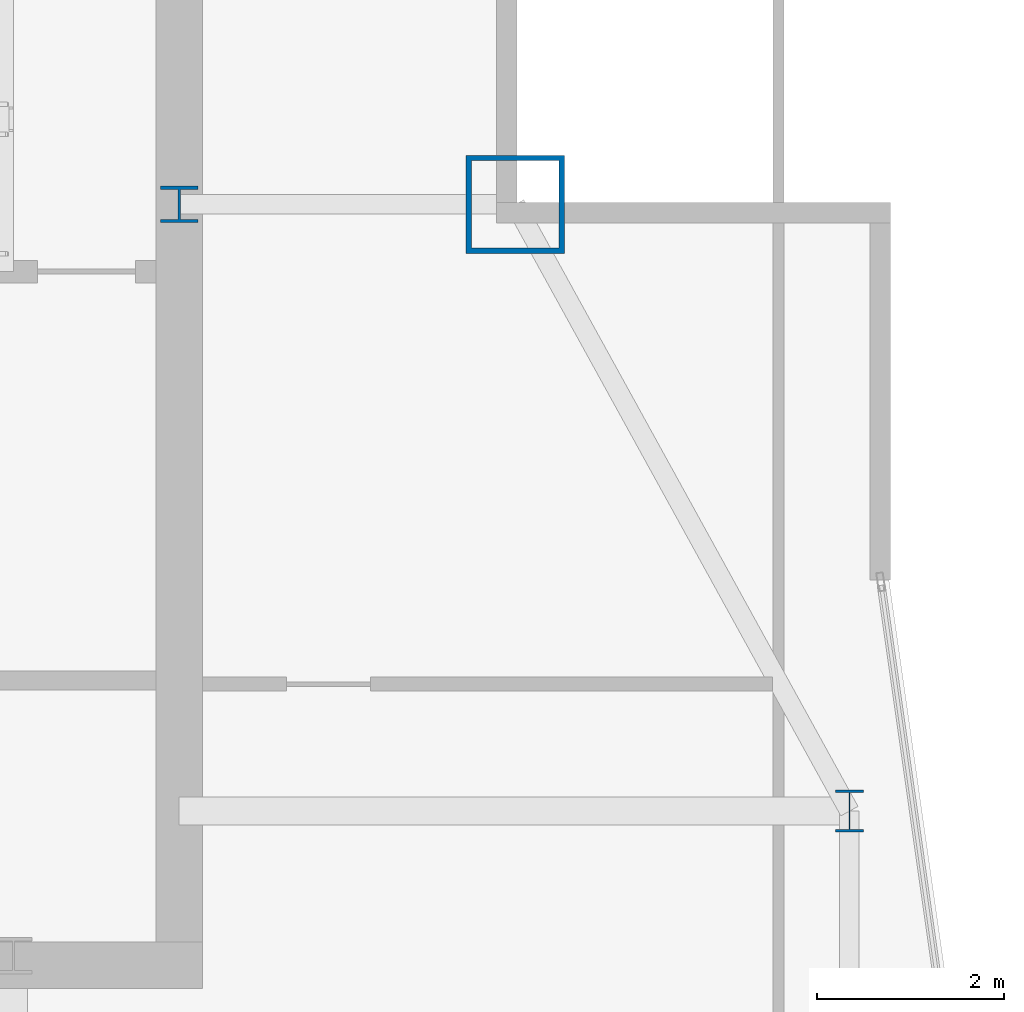
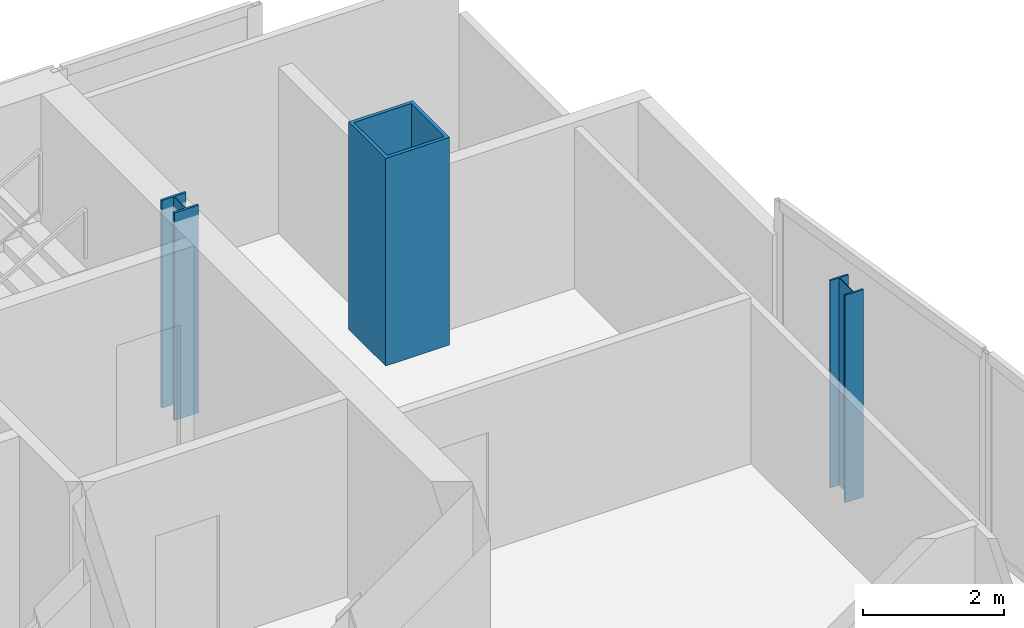
# One storey, part 4 of 30: 3 columns.
"""IFC4 building model written with IfcOpenShell, lengths in metres."""

from ifc_helpers import new_model, si_unit, direction, frame, origin, origin_2d, place, context, subcontext, project, spatial, hollow_rectangle, i_section, extrude, material, material_profile, profile_set, type_object, element, save


model = new_model("IFC4")

# Units and contexts
model_context = context("Model", 3, precision=1e-05, world=origin(), true_north=direction((0.0, 1.0)))
body_context = subcontext(model_context, "Body", "Model", "MODEL_VIEW")
ifc_project = project(units=[si_unit("LENGTHUNIT", "METRE"), si_unit("AREAUNIT", "SQUARE_METRE"), si_unit("VOLUMEUNIT", "CUBIC_METRE"), si_unit("PLANEANGLEUNIT", "RADIAN"), si_unit("MASSUNIT", "GRAM", prefix="KILO")], contexts=[model_context])

# Site, building, storey
site_placement = place(None, origin())
site = spatial("IfcSite", under=ifc_project, at=site_placement, CompositionType="ELEMENT")
building_placement = place(site_placement, origin())
building = spatial("IfcBuilding", under=site, at=building_placement, Name="Khoronbel Lancet Exchange", CompositionType="ELEMENT")
storey_placement = place(building_placement, frame((0.0, 0.0, 280.60009765625)))
storey = spatial("IfcBuildingStorey", under=building, at=storey_placement, Name="L72", CompositionType="ELEMENT", Elevation=280.60009765625)

# Columns
ifc_material_1 = material(Name="Steel S355", Category="steel")
ifc_material_profile_1 = material_profile(ifc_material_1, i_section(OverallWidth=0.39892578125, OverallDepth=0.39306640625, WebThickness=0.022705078125, FlangeThickness=0.03662109375, at=origin_2d()), Name="HD 400x287")
ifc_profile_set_1 = profile_set([ifc_material_profile_1], Name="Steel S355")
column_type_1 = type_object("IfcColumnType", Name="COL-IC4", PredefinedType="COLUMN", material=ifc_profile_set_1)
column_1_placement = place(storey_placement, frame((56.449951171875, 49.699951171875, 0.0), z_axis=(0.0, 0.0, 1.0), x_axis=(1.0, 0.0, 0.0)))
element("IfcColumn", 1, at=column_1_placement, inside=storey, type_object=column_type_1, Name="Core-flank plumb transfer column CFE L72", PredefinedType="COLUMN", context=body_context, shape_type="SweptSolid", body=[
    extrude(i_section(OverallWidth=0.39892578125, OverallDepth=0.39306640625, WebThickness=0.022705078125, FlangeThickness=0.03662109375, at=origin_2d()), origin(), (0.0, 0.0, 1.0), 3.599853515625),
])
ifc_material_profile_2 = material_profile(ifc_material_1, i_section(OverallWidth=0.300048828125, OverallDepth=0.449951171875, WebThickness=0.013916015625, FlangeThickness=0.02587890625, at=origin_2d()), Name="HEB 450")
ifc_profile_set_2 = profile_set([ifc_material_profile_2], Name="Steel S355")
column_type_2 = type_object("IfcColumnType", Name="COL-LC2", PredefinedType="COLUMN", material=ifc_profile_set_2)
column_2_placement = place(storey_placement, frame((63.6298828125, 43.199951171875, 0.0), z_axis=(0.0, 0.0, 1.0), x_axis=(1.0, 0.0, 0.0)))
element("IfcColumn", 2, at=column_2_placement, inside=storey, type_object=column_type_2, Name="Structural column EC-4 L72", PredefinedType="COLUMN", context=body_context, shape_type="SweptSolid", body=[
    extrude(i_section(OverallWidth=0.300048828125, OverallDepth=0.449951171875, WebThickness=0.013916015625, FlangeThickness=0.02587890625, at=origin_2d()), origin(), (0.0, 0.0, 1.0), 3.599853515625),
])
ifc_material_2 = material(Name="Steel S460", Category="steel")
ifc_material_profile_3 = material_profile(ifc_material_2, hollow_rectangle(XDim=1.050048828125, YDim=1.050048828125, WallThickness=0.054931640625, at=origin_2d()), Name="BOX 1050x1050x55")
ifc_profile_set_3 = profile_set([ifc_material_profile_3], Name="Steel S460")
column_type_3 = type_object("IfcColumnType", Name="COL-MC6", PredefinedType="COLUMN", material=ifc_profile_set_3)
column_3_placement = place(storey_placement, frame((60.050048828125, 49.699951171875, 0.0), z_axis=(0.0, 0.0, 1.0), x_axis=(1.0, 0.0, 0.0)))
element("IfcColumn", 3, at=column_3_placement, inside=storey, type_object=column_type_3, Name="Structural column MC-NE L72", PredefinedType="COLUMN", context=body_context, shape_type="SweptSolid", body=[
    extrude(hollow_rectangle(XDim=1.050048828125, YDim=1.050048828125, WallThickness=0.054931640625, at=origin_2d()), origin(), (0.0, 0.0, 1.0), 3.599853515625),
])

save(model, "model.ifc")
